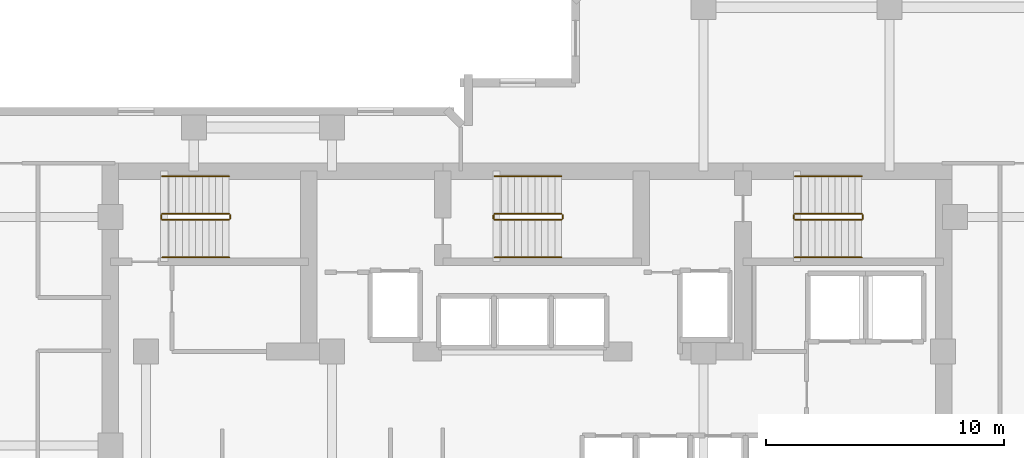
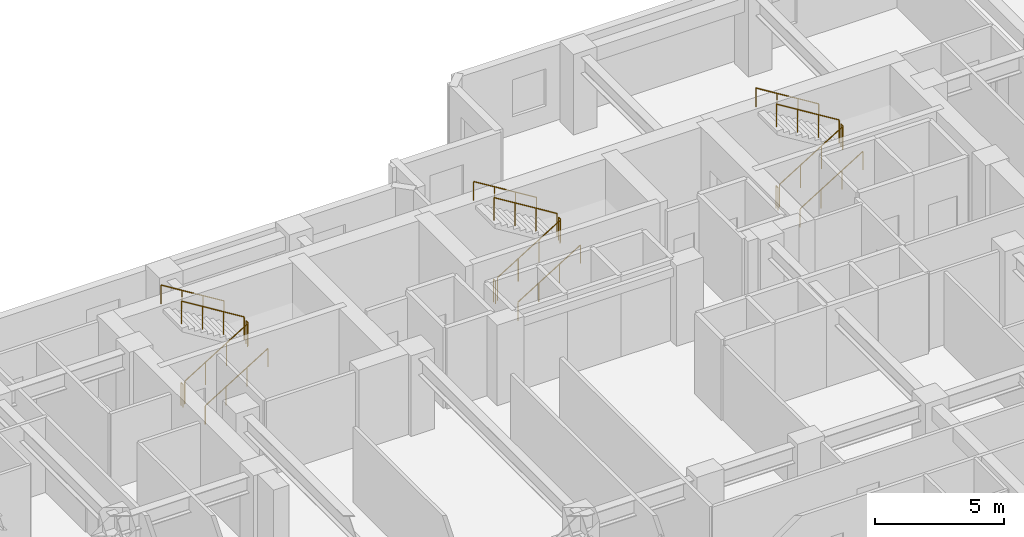
# One storey, part 11 of 11: 18 railings.
"""IFC4 building model written with IfcOpenShell, lengths in metres."""

from ifc_helpers import new_model, si_unit, direction, frame, origin, origin_2d, place, context, subcontext, project, spatial, circle, extrude, material, type_object, element, save


model = new_model("IFC4")

# Units and contexts
model_context = context("Model", 3, precision=1e-05, world=origin(), true_north=direction((0.0, 1.0)))
body_context = subcontext(model_context, "Body", "Model", "MODEL_VIEW")
ifc_project = project(units=[si_unit("LENGTHUNIT", "METRE"), si_unit("AREAUNIT", "SQUARE_METRE"), si_unit("VOLUMEUNIT", "CUBIC_METRE"), si_unit("PLANEANGLEUNIT", "RADIAN"), si_unit("MASSUNIT", "GRAM", prefix="KILO")], contexts=[model_context])

# Site, building, storey
site_placement = place(None, origin())
site = spatial("IfcSite", under=ifc_project, at=site_placement, CompositionType="ELEMENT")
building_placement = place(site_placement, origin())
building = spatial("IfcBuilding", under=site, at=building_placement, Name="Kestravale Grand Hotel", CompositionType="ELEMENT")
storey_placement = place(building_placement, frame((0.0, 0.0, 157.39990234375)))
storey = spatial("IfcBuildingStorey", under=building, at=storey_placement, Name="L39", CompositionType="ELEMENT", Elevation=157.39990234375)

# Railings
ifc_material_1 = material(Name="Painted tubular steel stair well guard", Category="steel")
railing_type_1 = type_object("IfcRailingType", Name="RL-ST-GRD1100", PredefinedType="GUARDRAIL", material=ifc_material_1)
railing_1_placement = place(storey_placement, frame((24.080078125, 38.280029296875, 0.1728515625)))
element("IfcRailing", 1, at=railing_1_placement, inside=storey, type_object=railing_type_1, Name="L39 ST-1 stair guard 1", PredefinedType="GUARDRAIL", context=body_context, shape_type="SweptSolid", body=[
    extrude(circle(Radius=0.02392578125, at=origin_2d()), frame((0.0, 0.0, 1.076171875), z_axis=(0.851069175582, 0.0, 0.525053576669), x_axis=(0.0, 1.0, 0.0)), (0.0, 0.0, 1.0), 3.289794921875),
    extrude(circle(Radius=0.02099609375, at=origin_2d()), origin(), (0.0, 0.0, 1.0), 1.052001953125),
    extrude(circle(Radius=0.02099609375, at=origin_2d()), frame((0.933349609375, 0.0, 0.57568359375)), (0.0, 0.0, 1.0), 1.052001953125),
    extrude(circle(Radius=0.02099609375, at=origin_2d()), frame((1.866455078125, 0.0, 1.151611328125)), (0.0, 0.0, 1.0), 1.052001953125),
    extrude(circle(Radius=0.02099609375, at=origin_2d()), frame((2.7998046875, 0.0, 1.727294921875)), (0.0, 0.0, 1.0), 1.052001953125),
])
railing_2_placement = place(storey_placement, frame((26.929931640625, 38.330078125, 1.900146484375)))
element("IfcRailing", 2, at=railing_2_placement, inside=storey, type_object=railing_type_1, Name="L39 ST-1 stair guard 2", PredefinedType="GUARDRAIL", context=body_context, shape_type="SweptSolid", body=[
    extrude(circle(Radius=0.02392578125, at=origin_2d()), frame((0.0, 0.0, 1.076171875), z_axis=(0.0, 1.0, 0.0), x_axis=(-1.0, 0.0, 0.0)), (0.0, 0.0, 1.0), 0.14990234375),
    extrude(circle(Radius=0.02099609375, at=origin_2d()), origin(), (0.0, 0.0, 1.0), 1.052001953125),
    extrude(circle(Radius=0.02099609375, at=origin_2d()), frame((0.0, 0.14990234375, 0.0)), (0.0, 0.0, 1.0), 1.052001953125),
])
railing_3_placement = place(storey_placement, frame((26.8798828125, 38.530029296875, 2.07275390625)))
element("IfcRailing", 3, at=railing_3_placement, inside=storey, type_object=railing_type_1, Name="L39 ST-1 stair guard 3", PredefinedType="GUARDRAIL", context=body_context, shape_type="SweptSolid", body=[
    extrude(circle(Radius=0.02392578125, at=origin_2d()), frame((0.0, 0.0, 1.076171875), z_axis=(-0.851069175582, 0.0, 0.525053576669), x_axis=(0.0, -1.0, 0.0)), (0.0, 0.0, 1.0), 3.289794921875),
    extrude(circle(Radius=0.02099609375, at=origin_2d()), origin(), (0.0, 0.0, 1.0), 1.052001953125),
    extrude(circle(Radius=0.02099609375, at=origin_2d()), frame((-0.933349609375, 0.0, 0.57568359375)), (0.0, 0.0, 1.0), 1.052001953125),
    extrude(circle(Radius=0.02099609375, at=origin_2d()), frame((-1.866455078125, 0.0, 1.151611328125)), (0.0, 0.0, 1.0), 1.052001953125),
    extrude(circle(Radius=0.02099609375, at=origin_2d()), frame((-2.7998046875, 0.0, 1.727294921875)), (0.0, 0.0, 1.0), 1.052001953125),
])
railing_4_placement = place(storey_placement, frame((24.030029296875, 38.330078125, 0.0)))
element("IfcRailing", 4, at=railing_4_placement, inside=storey, type_object=railing_type_1, Name="L39 ST-1 stair guard 4", PredefinedType="GUARDRAIL", context=body_context, shape_type="SweptSolid", body=[
    extrude(circle(Radius=0.02392578125, at=origin_2d()), frame((0.0, 0.0, 1.076171875), z_axis=(0.0, 1.0, 0.0), x_axis=(-1.0, 0.0, 0.0)), (0.0, 0.0, 1.0), 0.14990234375),
    extrude(circle(Radius=0.02099609375, at=origin_2d()), origin(), (0.0, 0.0, 1.0), 1.052001953125),
    extrude(circle(Radius=0.02099609375, at=origin_2d()), frame((0.0, 0.14990234375, 0.0)), (0.0, 0.0, 1.0), 1.052001953125),
])
railing_5_placement = place(storey_placement, frame((38.030029296875, 38.280029296875, 0.1728515625)))
element("IfcRailing", 5, at=railing_5_placement, inside=storey, type_object=railing_type_1, Name="L39 ST-2 stair guard 1", PredefinedType="GUARDRAIL", context=body_context, shape_type="SweptSolid", body=[
    extrude(circle(Radius=0.02392578125, at=origin_2d()), frame((0.0, 0.0, 1.076171875), z_axis=(0.851089632645, 0.0, 0.525020415988), x_axis=(0.0, 1.0, 0.0)), (0.0, 0.0, 1.0), 3.2900390625),
    extrude(circle(Radius=0.02099609375, at=origin_2d()), origin(), (0.0, 0.0, 1.0), 1.052001953125),
    extrude(circle(Radius=0.02099609375, at=origin_2d()), frame((0.933349609375, 0.0, 0.57568359375)), (0.0, 0.0, 1.0), 1.052001953125),
    extrude(circle(Radius=0.02099609375, at=origin_2d()), frame((1.86669921875, 0.0, 1.151611328125)), (0.0, 0.0, 1.0), 1.052001953125),
    extrude(circle(Radius=0.02099609375, at=origin_2d()), frame((2.800048828125, 0.0, 1.727294921875)), (0.0, 0.0, 1.0), 1.052001953125),
])
railing_6_placement = place(storey_placement, frame((40.8798828125, 38.330078125, 1.900146484375)))
element("IfcRailing", 6, at=railing_6_placement, inside=storey, type_object=railing_type_1, Name="L39 ST-2 stair guard 2", PredefinedType="GUARDRAIL", context=body_context, shape_type="SweptSolid", body=[
    extrude(circle(Radius=0.02392578125, at=origin_2d()), frame((0.0, 0.0, 1.076171875), z_axis=(0.0, 1.0, 0.0), x_axis=(-1.0, 0.0, 0.0)), (0.0, 0.0, 1.0), 0.14990234375),
    extrude(circle(Radius=0.02099609375, at=origin_2d()), origin(), (0.0, 0.0, 1.0), 1.052001953125),
    extrude(circle(Radius=0.02099609375, at=origin_2d()), frame((0.0, 0.14990234375, 0.0)), (0.0, 0.0, 1.0), 1.052001953125),
])
railing_7_placement = place(storey_placement, frame((40.830078125, 38.530029296875, 2.07275390625)))
element("IfcRailing", 7, at=railing_7_placement, inside=storey, type_object=railing_type_1, Name="L39 ST-2 stair guard 3", PredefinedType="GUARDRAIL", context=body_context, shape_type="SweptSolid", body=[
    extrude(circle(Radius=0.02392578125, at=origin_2d()), frame((0.0, 0.0, 1.076171875), z_axis=(-0.851089632645, 0.0, 0.525020415988), x_axis=(0.0, -1.0, 0.0)), (0.0, 0.0, 1.0), 3.2900390625),
    extrude(circle(Radius=0.02099609375, at=origin_2d()), origin(), (0.0, 0.0, 1.0), 1.052001953125),
    extrude(circle(Radius=0.02099609375, at=origin_2d()), frame((-0.933349609375, 0.0, 0.57568359375)), (0.0, 0.0, 1.0), 1.052001953125),
    extrude(circle(Radius=0.02099609375, at=origin_2d()), frame((-1.86669921875, 0.0, 1.151611328125)), (0.0, 0.0, 1.0), 1.052001953125),
    extrude(circle(Radius=0.02099609375, at=origin_2d()), frame((-2.800048828125, 0.0, 1.727294921875)), (0.0, 0.0, 1.0), 1.052001953125),
])
railing_8_placement = place(storey_placement, frame((37.97998046875, 38.330078125, 0.0)))
element("IfcRailing", 8, at=railing_8_placement, inside=storey, type_object=railing_type_1, Name="L39 ST-2 stair guard 4", PredefinedType="GUARDRAIL", context=body_context, shape_type="SweptSolid", body=[
    extrude(circle(Radius=0.02392578125, at=origin_2d()), frame((0.0, 0.0, 1.076171875), z_axis=(0.0, 1.0, 0.0), x_axis=(-1.0, 0.0, 0.0)), (0.0, 0.0, 1.0), 0.14990234375),
    extrude(circle(Radius=0.02099609375, at=origin_2d()), origin(), (0.0, 0.0, 1.0), 1.052001953125),
    extrude(circle(Radius=0.02099609375, at=origin_2d()), frame((0.0, 0.14990234375, 0.0)), (0.0, 0.0, 1.0), 1.052001953125),
])
railing_9_placement = place(storey_placement, frame((50.6298828125, 38.280029296875, 0.1728515625)))
element("IfcRailing", 9, at=railing_9_placement, inside=storey, type_object=railing_type_1, Name="L39 ST-3 stair guard 1", PredefinedType="GUARDRAIL", context=body_context, shape_type="SweptSolid", body=[
    extrude(circle(Radius=0.02392578125, at=origin_2d()), frame((0.0, 0.0, 1.076171875), z_axis=(0.851089632645, 0.0, 0.525020415988), x_axis=(0.0, 1.0, 0.0)), (0.0, 0.0, 1.0), 3.2900390625),
    extrude(circle(Radius=0.02099609375, at=origin_2d()), origin(), (0.0, 0.0, 1.0), 1.052001953125),
    extrude(circle(Radius=0.02099609375, at=origin_2d()), frame((0.933349609375, 0.0, 0.57568359375)), (0.0, 0.0, 1.0), 1.052001953125),
    extrude(circle(Radius=0.02099609375, at=origin_2d()), frame((1.86669921875, 0.0, 1.151611328125)), (0.0, 0.0, 1.0), 1.052001953125),
    extrude(circle(Radius=0.02099609375, at=origin_2d()), frame((2.800048828125, 0.0, 1.727294921875)), (0.0, 0.0, 1.0), 1.052001953125),
])
railing_10_placement = place(storey_placement, frame((53.47998046875, 38.330078125, 1.900146484375)))
element("IfcRailing", 10, at=railing_10_placement, inside=storey, type_object=railing_type_1, Name="L39 ST-3 stair guard 2", PredefinedType="GUARDRAIL", context=body_context, shape_type="SweptSolid", body=[
    extrude(circle(Radius=0.02392578125, at=origin_2d()), frame((0.0, 0.0, 1.076171875), z_axis=(0.0, 1.0, 0.0), x_axis=(-1.0, 0.0, 0.0)), (0.0, 0.0, 1.0), 0.14990234375),
    extrude(circle(Radius=0.02099609375, at=origin_2d()), origin(), (0.0, 0.0, 1.0), 1.052001953125),
    extrude(circle(Radius=0.02099609375, at=origin_2d()), frame((0.0, 0.14990234375, 0.0)), (0.0, 0.0, 1.0), 1.052001953125),
])
railing_11_placement = place(storey_placement, frame((53.429931640625, 38.530029296875, 2.07275390625)))
element("IfcRailing", 11, at=railing_11_placement, inside=storey, type_object=railing_type_1, Name="L39 ST-3 stair guard 3", PredefinedType="GUARDRAIL", context=body_context, shape_type="SweptSolid", body=[
    extrude(circle(Radius=0.02392578125, at=origin_2d()), frame((0.0, 0.0, 1.076171875), z_axis=(-0.851089632645, 0.0, 0.525020415988), x_axis=(0.0, -1.0, 0.0)), (0.0, 0.0, 1.0), 3.2900390625),
    extrude(circle(Radius=0.02099609375, at=origin_2d()), origin(), (0.0, 0.0, 1.0), 1.052001953125),
    extrude(circle(Radius=0.02099609375, at=origin_2d()), frame((-0.933349609375, 0.0, 0.57568359375)), (0.0, 0.0, 1.0), 1.052001953125),
    extrude(circle(Radius=0.02099609375, at=origin_2d()), frame((-1.86669921875, 0.0, 1.151611328125)), (0.0, 0.0, 1.0), 1.052001953125),
    extrude(circle(Radius=0.02099609375, at=origin_2d()), frame((-2.800048828125, 0.0, 1.727294921875)), (0.0, 0.0, 1.0), 1.052001953125),
])
railing_12_placement = place(storey_placement, frame((50.580078125, 38.330078125, 0.0)))
element("IfcRailing", 12, at=railing_12_placement, inside=storey, type_object=railing_type_1, Name="L39 ST-3 stair guard 4", PredefinedType="GUARDRAIL", context=body_context, shape_type="SweptSolid", body=[
    extrude(circle(Radius=0.02392578125, at=origin_2d()), frame((0.0, 0.0, 1.076171875), z_axis=(0.0, 1.0, 0.0), x_axis=(-1.0, 0.0, 0.0)), (0.0, 0.0, 1.0), 0.14990234375),
    extrude(circle(Radius=0.02099609375, at=origin_2d()), origin(), (0.0, 0.0, 1.0), 1.052001953125),
    extrude(circle(Radius=0.02099609375, at=origin_2d()), frame((0.0, 0.14990234375, 0.0)), (0.0, 0.0, 1.0), 1.052001953125),
])
ifc_material_2 = material(Name="Brushed stainless steel wall handrail", Category="steel")
railing_type_2 = type_object("IfcRailingType", Name="RL-ST-HND900", PredefinedType="HANDRAIL", material=ifc_material_2)
railing_13_placement = place(storey_placement, frame((24.080078125, 36.699951171875, 0.1728515625)))
element("IfcRailing", 13, at=railing_13_placement, inside=storey, type_object=railing_type_2, Name="L39 ST-1 stair handrail 1", PredefinedType="HANDRAIL", context=body_context, shape_type="SweptSolid", body=[
    extrude(circle(Radius=0.02392578125, at=origin_2d()), frame((0.0, 0.0, 0.8759765625), z_axis=(0.851069175582, 0.0, 0.525053576669), x_axis=(0.0, 1.0, 0.0)), (0.0, 0.0, 1.0), 3.289794921875),
    extrude(circle(Radius=0.02099609375, at=origin_2d()), origin(), (0.0, 0.0, 1.0), 0.851806640625),
    extrude(circle(Radius=0.02099609375, at=origin_2d()), frame((0.933349609375, 0.0, 0.57568359375)), (0.0, 0.0, 1.0), 0.851806640625),
    extrude(circle(Radius=0.02099609375, at=origin_2d()), frame((1.866455078125, 0.0, 1.151611328125)), (0.0, 0.0, 1.0), 0.851806640625),
    extrude(circle(Radius=0.02099609375, at=origin_2d()), frame((2.7998046875, 0.0, 1.727294921875)), (0.0, 0.0, 1.0), 0.851806640625),
])
railing_14_placement = place(storey_placement, frame((26.8798828125, 40.110107421875, 2.07275390625)))
element("IfcRailing", 14, at=railing_14_placement, inside=storey, type_object=railing_type_2, Name="L39 ST-1 stair handrail 2", PredefinedType="HANDRAIL", context=body_context, shape_type="SweptSolid", body=[
    extrude(circle(Radius=0.02392578125, at=origin_2d()), frame((0.0, 0.0, 0.8759765625), z_axis=(-0.851069175582, 0.0, 0.525053576669), x_axis=(0.0, -1.0, 0.0)), (0.0, 0.0, 1.0), 3.289794921875),
    extrude(circle(Radius=0.02099609375, at=origin_2d()), origin(), (0.0, 0.0, 1.0), 0.851806640625),
    extrude(circle(Radius=0.02099609375, at=origin_2d()), frame((-0.933349609375, 0.0, 0.57568359375)), (0.0, 0.0, 1.0), 0.851806640625),
    extrude(circle(Radius=0.02099609375, at=origin_2d()), frame((-1.866455078125, 0.0, 1.151611328125)), (0.0, 0.0, 1.0), 0.851806640625),
    extrude(circle(Radius=0.02099609375, at=origin_2d()), frame((-2.7998046875, 0.0, 1.727294921875)), (0.0, 0.0, 1.0), 0.851806640625),
])
railing_15_placement = place(storey_placement, frame((38.030029296875, 36.699951171875, 0.1728515625)))
element("IfcRailing", 15, at=railing_15_placement, inside=storey, type_object=railing_type_2, Name="L39 ST-2 stair handrail 1", PredefinedType="HANDRAIL", context=body_context, shape_type="SweptSolid", body=[
    extrude(circle(Radius=0.02392578125, at=origin_2d()), frame((0.0, 0.0, 0.8759765625), z_axis=(0.851089632645, 0.0, 0.525020415988), x_axis=(0.0, 1.0, 0.0)), (0.0, 0.0, 1.0), 3.2900390625),
    extrude(circle(Radius=0.02099609375, at=origin_2d()), origin(), (0.0, 0.0, 1.0), 0.851806640625),
    extrude(circle(Radius=0.02099609375, at=origin_2d()), frame((0.933349609375, 0.0, 0.57568359375)), (0.0, 0.0, 1.0), 0.851806640625),
    extrude(circle(Radius=0.02099609375, at=origin_2d()), frame((1.86669921875, 0.0, 1.151611328125)), (0.0, 0.0, 1.0), 0.851806640625),
    extrude(circle(Radius=0.02099609375, at=origin_2d()), frame((2.800048828125, 0.0, 1.727294921875)), (0.0, 0.0, 1.0), 0.851806640625),
])
railing_16_placement = place(storey_placement, frame((40.830078125, 40.110107421875, 2.07275390625)))
element("IfcRailing", 16, at=railing_16_placement, inside=storey, type_object=railing_type_2, Name="L39 ST-2 stair handrail 2", PredefinedType="HANDRAIL", context=body_context, shape_type="SweptSolid", body=[
    extrude(circle(Radius=0.02392578125, at=origin_2d()), frame((0.0, 0.0, 0.8759765625), z_axis=(-0.851089632645, 0.0, 0.525020415988), x_axis=(0.0, -1.0, 0.0)), (0.0, 0.0, 1.0), 3.2900390625),
    extrude(circle(Radius=0.02099609375, at=origin_2d()), origin(), (0.0, 0.0, 1.0), 0.851806640625),
    extrude(circle(Radius=0.02099609375, at=origin_2d()), frame((-0.933349609375, 0.0, 0.57568359375)), (0.0, 0.0, 1.0), 0.851806640625),
    extrude(circle(Radius=0.02099609375, at=origin_2d()), frame((-1.86669921875, 0.0, 1.151611328125)), (0.0, 0.0, 1.0), 0.851806640625),
    extrude(circle(Radius=0.02099609375, at=origin_2d()), frame((-2.800048828125, 0.0, 1.727294921875)), (0.0, 0.0, 1.0), 0.851806640625),
])
railing_17_placement = place(storey_placement, frame((50.6298828125, 36.699951171875, 0.1728515625)))
element("IfcRailing", 17, at=railing_17_placement, inside=storey, type_object=railing_type_2, Name="L39 ST-3 stair handrail 1", PredefinedType="HANDRAIL", context=body_context, shape_type="SweptSolid", body=[
    extrude(circle(Radius=0.02392578125, at=origin_2d()), frame((0.0, 0.0, 0.8759765625), z_axis=(0.851089632645, 0.0, 0.525020415988), x_axis=(0.0, 1.0, 0.0)), (0.0, 0.0, 1.0), 3.2900390625),
    extrude(circle(Radius=0.02099609375, at=origin_2d()), origin(), (0.0, 0.0, 1.0), 0.851806640625),
    extrude(circle(Radius=0.02099609375, at=origin_2d()), frame((0.933349609375, 0.0, 0.57568359375)), (0.0, 0.0, 1.0), 0.851806640625),
    extrude(circle(Radius=0.02099609375, at=origin_2d()), frame((1.86669921875, 0.0, 1.151611328125)), (0.0, 0.0, 1.0), 0.851806640625),
    extrude(circle(Radius=0.02099609375, at=origin_2d()), frame((2.800048828125, 0.0, 1.727294921875)), (0.0, 0.0, 1.0), 0.851806640625),
])
railing_18_placement = place(storey_placement, frame((53.429931640625, 40.110107421875, 2.07275390625)))
element("IfcRailing", 18, at=railing_18_placement, inside=storey, type_object=railing_type_2, Name="L39 ST-3 stair handrail 2", PredefinedType="HANDRAIL", context=body_context, shape_type="SweptSolid", body=[
    extrude(circle(Radius=0.02392578125, at=origin_2d()), frame((0.0, 0.0, 0.8759765625), z_axis=(-0.851089632645, 0.0, 0.525020415988), x_axis=(0.0, -1.0, 0.0)), (0.0, 0.0, 1.0), 3.2900390625),
    extrude(circle(Radius=0.02099609375, at=origin_2d()), origin(), (0.0, 0.0, 1.0), 0.851806640625),
    extrude(circle(Radius=0.02099609375, at=origin_2d()), frame((-0.933349609375, 0.0, 0.57568359375)), (0.0, 0.0, 1.0), 0.851806640625),
    extrude(circle(Radius=0.02099609375, at=origin_2d()), frame((-1.86669921875, 0.0, 1.151611328125)), (0.0, 0.0, 1.0), 0.851806640625),
    extrude(circle(Radius=0.02099609375, at=origin_2d()), frame((-2.800048828125, 0.0, 1.727294921875)), (0.0, 0.0, 1.0), 0.851806640625),
])

save(model, "model.ifc")
